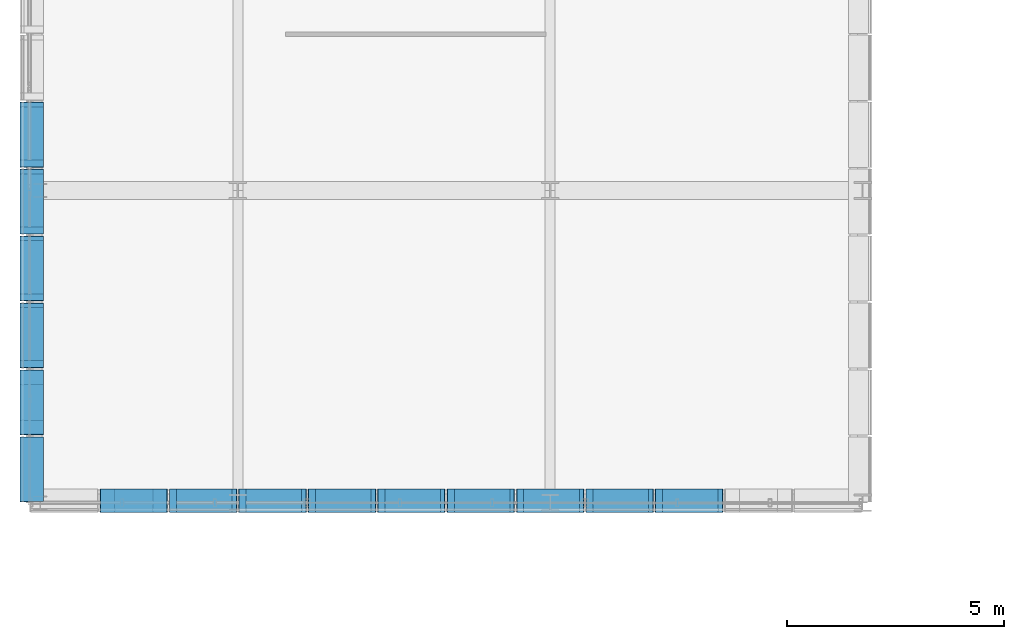
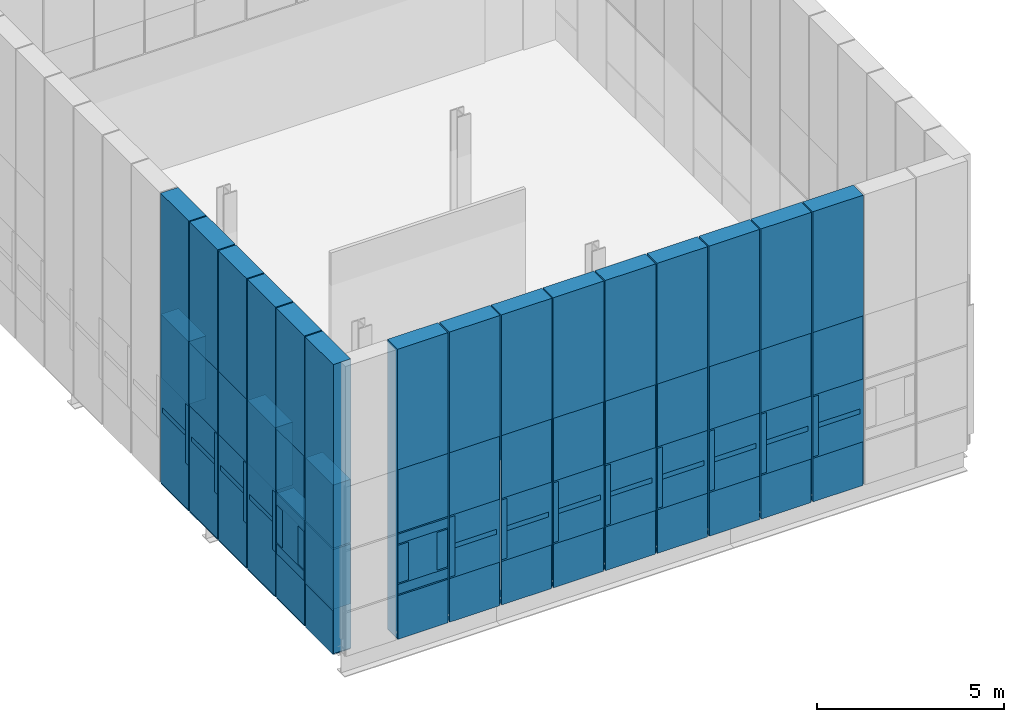
# One storey, part 107 of 144: 78 discrete accessories.
"""IFC4 building model written with IfcOpenShell, lengths in metres."""

from ifc_helpers import new_model, si_unit, direction, frame, origin, origin_2d, place, context, subcontext, project, spatial, rectangle, extrude, material, type_object, element, save


model = new_model("IFC4")

# Units and contexts
model_context = context("Model", 3, precision=1e-05, world=origin(), true_north=direction((0.0, 1.0)))
body_context = subcontext(model_context, "Body", "Model", "MODEL_VIEW")
ifc_project = project(units=[si_unit("LENGTHUNIT", "METRE"), si_unit("AREAUNIT", "SQUARE_METRE"), si_unit("VOLUMEUNIT", "CUBIC_METRE"), si_unit("PLANEANGLEUNIT", "RADIAN"), si_unit("MASSUNIT", "GRAM", prefix="KILO")], contexts=[model_context])

# Site, building, storey
site_placement = place(None, origin())
site = spatial("IfcSite", under=ifc_project, at=site_placement, CompositionType="ELEMENT")
building_placement = place(site_placement, origin())
building = spatial("IfcBuilding", under=site, at=building_placement, Name="Yarey Park Central Fire Station", CompositionType="ELEMENT")
storey_placement = place(building_placement, frame((0.0, 0.0, 10.199951171875)))
storey = spatial("IfcBuildingStorey", under=building, at=storey_placement, Name="L03", CompositionType="ELEMENT", Elevation=10.199951171875)

# Discrete accessories
ifc_material = material(Name="Stainless Steel AISI 316L", Category="steel")
discrete_accessory_type = type_object("IfcDiscreteAccessoryType", Name="ENV_BRK_SS1", PredefinedType="BRACKET", material=ifc_material)
discrete_accessory_1_placement = place(storey_placement, frame((9.64990234375, 22.371337890625, -0.494873046875), z_axis=(0.0, 0.0, 1.0), x_axis=(1.0, 0.0, 0.0)))
element("IfcDiscreteAccessory", 1, at=discrete_accessory_1_placement, inside=storey, type_object=discrete_accessory_type, Name="BRK_PERF_L03_0001", PredefinedType="BRACKET", context=body_context, shape_type="SweptSolid", body=[
    extrude(rectangle(XDim=0.5400390625, YDim=1.48291015625, at=origin_2d()), origin(), (0.0, 0.0, 1.0), 1.419921875),
])
discrete_accessory_2_placement = place(storey_placement, frame((9.64990234375, 22.371337890625, 0.97509765625), z_axis=(0.0, 0.0, 1.0), x_axis=(1.0, 0.0, 0.0)))
element("IfcDiscreteAccessory", 2, at=discrete_accessory_2_placement, inside=storey, type_object=discrete_accessory_type, Name="BRK_PERF_L03_0002", PredefinedType="BRACKET", context=body_context, shape_type="SweptSolid", body=[
    extrude(rectangle(XDim=0.5400390625, YDim=1.48291015625, at=origin_2d()), origin(), (0.0, 0.0, 1.0), 1.949951171875),
])
discrete_accessory_3_placement = place(storey_placement, frame((9.64990234375, 22.371337890625, 2.97509765625), z_axis=(0.0, 0.0, 1.0), x_axis=(1.0, 0.0, 0.0)))
element("IfcDiscreteAccessory", 3, at=discrete_accessory_3_placement, inside=storey, type_object=discrete_accessory_type, Name="BRK_PERF_L03_0003", PredefinedType="BRACKET", context=body_context, shape_type="SweptSolid", body=[
    extrude(rectangle(XDim=0.5400390625, YDim=1.48291015625, at=origin_2d()), origin(), (0.0, 0.0, 1.0), 2.050048828125),
])
discrete_accessory_4_placement = place(storey_placement, frame((9.64990234375, 22.371337890625, -0.4599609375), z_axis=(0.0, 0.0, 1.0), x_axis=(1.0, 0.0, 0.0)))
element("IfcDiscreteAccessory", 4, at=discrete_accessory_4_placement, inside=storey, type_object=discrete_accessory_type, Name="BRK_RAIL_L03_0005", PredefinedType="BRACKET", context=body_context, shape_type="SweptSolid", body=[
    extrude(rectangle(XDim=0.5400390625, YDim=1.5029296875, at=origin_2d()), origin(), (0.0, 0.0, 1.0), 9.419921875),
])
discrete_accessory_5_placement = place(storey_placement, frame((9.64990234375, 23.914306640625, -0.494873046875), z_axis=(0.0, 0.0, 1.0), x_axis=(1.0, 0.0, 0.0)))
element("IfcDiscreteAccessory", 5, at=discrete_accessory_5_placement, inside=storey, type_object=discrete_accessory_type, Name="BRK_PERF_L03_0006", PredefinedType="BRACKET", context=body_context, shape_type="SweptSolid", body=[
    extrude(rectangle(XDim=0.5400390625, YDim=1.48291015625, at=origin_2d()), origin(), (0.0, 0.0, 1.0), 1.419921875),
])
for number, where, z_axis, x_axis, name in (
    (6, (9.64990234375, 23.914306640625, 0.97021484375), (0.0, 0.0, 1.0), (1.0, 0.0, 0.0), "BRK_PERF_L03_0007"),
    (7, (9.64990234375, 23.914306640625, 2.60986328125), (0.0, 0.0, 1.0), (1.0, 0.0, 0.0), "BRK_PERF_L03_0008"),
):
    element("IfcDiscreteAccessory", number, at=place(storey_placement, frame(where, z_axis=z_axis, x_axis=x_axis)), inside=storey, type_object=discrete_accessory_type, Name=name, PredefinedType="BRACKET", context=body_context, shape_type="SweptSolid", body=[
        extrude(rectangle(XDim=0.5400390625, YDim=1.48291015625, at=origin_2d()), origin(), (0.0, 0.0, 1.0), 0.320068359375),
    ])
for number, where, z_axis, x_axis, name in (
    (8, (9.64990234375, 23.343017578125, 1.3349609375), (0.0, 0.0, 1.0), (1.0, 0.0, 0.0), "BRK_PERF_L03_0009"),
    (9, (9.64990234375, 24.485595703125, 1.3349609375), (0.0, 0.0, 1.0), (1.0, 0.0, 0.0), "BRK_PERF_L03_0010"),
):
    element("IfcDiscreteAccessory", number, at=place(storey_placement, frame(where, z_axis=z_axis, x_axis=x_axis)), inside=storey, type_object=discrete_accessory_type, Name=name, PredefinedType="BRACKET", context=body_context, shape_type="SweptSolid", body=[
        extrude(rectangle(XDim=0.5400390625, YDim=0.320068359375, at=origin_2d()), origin(), (0.0, 0.0, 1.0), 1.22998046875),
    ])
discrete_accessory_6_placement = place(storey_placement, frame((9.64990234375, 23.914306640625, 2.97509765625), z_axis=(0.0, 0.0, 1.0), x_axis=(1.0, 0.0, 0.0)))
element("IfcDiscreteAccessory", 10, at=discrete_accessory_6_placement, inside=storey, type_object=discrete_accessory_type, Name="BRK_PERF_L03_0011", PredefinedType="BRACKET", context=body_context, shape_type="SweptSolid", body=[
    extrude(rectangle(XDim=0.5400390625, YDim=1.48291015625, at=origin_2d()), origin(), (0.0, 0.0, 1.0), 2.050048828125),
])
discrete_accessory_7_placement = place(storey_placement, frame((9.64990234375, 23.914306640625, -0.4599609375), z_axis=(0.0, 0.0, 1.0), x_axis=(1.0, 0.0, 0.0)))
element("IfcDiscreteAccessory", 11, at=discrete_accessory_7_placement, inside=storey, type_object=discrete_accessory_type, Name="BRK_RAIL_L03_0016", PredefinedType="BRACKET", context=body_context, shape_type="SweptSolid", body=[
    extrude(rectangle(XDim=0.5400390625, YDim=1.5029296875, at=origin_2d()), origin(), (0.0, 0.0, 1.0), 9.419921875),
])
discrete_accessory_8_placement = place(storey_placement, frame((9.64990234375, 25.45703125, -0.494873046875), z_axis=(0.0, 0.0, 1.0), x_axis=(1.0, 0.0, 0.0)))
element("IfcDiscreteAccessory", 12, at=discrete_accessory_8_placement, inside=storey, type_object=discrete_accessory_type, Name="BRK_PERF_L03_0017", PredefinedType="BRACKET", context=body_context, shape_type="SweptSolid", body=[
    extrude(rectangle(XDim=0.5400390625, YDim=1.48291015625, at=origin_2d()), origin(), (0.0, 0.0, 1.0), 1.419921875),
])
discrete_accessory_9_placement = place(storey_placement, frame((9.64990234375, 24.795654296875, 0.97509765625), z_axis=(0.0, 0.0, 1.0), x_axis=(1.0, 0.0, 0.0)))
element("IfcDiscreteAccessory", 13, at=discrete_accessory_9_placement, inside=storey, type_object=discrete_accessory_type, Name="BRK_PERF_L03_0018", PredefinedType="BRACKET", context=body_context, shape_type="SweptSolid", body=[
    extrude(rectangle(XDim=0.5400390625, YDim=0.159912109375, at=origin_2d()), origin(), (0.0, 0.0, 1.0), 1.949951171875),
])
discrete_accessory_10_placement = place(storey_placement, frame((9.64990234375, 25.45703125, 1.8701171875), z_axis=(0.0, 0.0, 1.0), x_axis=(1.0, 0.0, 0.0)))
element("IfcDiscreteAccessory", 14, at=discrete_accessory_10_placement, inside=storey, type_object=discrete_accessory_type, Name="BRK_PERF_L03_0019", PredefinedType="BRACKET", context=body_context, shape_type="SweptSolid", body=[
    extrude(rectangle(XDim=0.5400390625, YDim=1.282958984375, at=origin_2d()), origin(), (0.0, 0.0, 1.0), 0.159912109375),
])
discrete_accessory_11_placement = place(storey_placement, frame((9.64990234375, 25.45703125, 2.97509765625), z_axis=(0.0, 0.0, 1.0), x_axis=(1.0, 0.0, 0.0)))
element("IfcDiscreteAccessory", 15, at=discrete_accessory_11_placement, inside=storey, type_object=discrete_accessory_type, Name="BRK_PERF_L03_0020", PredefinedType="BRACKET", context=body_context, shape_type="SweptSolid", body=[
    extrude(rectangle(XDim=0.5400390625, YDim=1.48291015625, at=origin_2d()), origin(), (0.0, 0.0, 1.0), 2.050048828125),
])
discrete_accessory_12_placement = place(storey_placement, frame((9.64990234375, 25.45703125, -0.4599609375), z_axis=(0.0, 0.0, 1.0), x_axis=(1.0, 0.0, 0.0)))
element("IfcDiscreteAccessory", 16, at=discrete_accessory_12_placement, inside=storey, type_object=discrete_accessory_type, Name="BRK_RAIL_L03_0023", PredefinedType="BRACKET", context=body_context, shape_type="SweptSolid", body=[
    extrude(rectangle(XDim=0.5400390625, YDim=1.5029296875, at=origin_2d()), origin(), (0.0, 0.0, 1.0), 9.419921875),
])
discrete_accessory_13_placement = place(storey_placement, frame((9.64990234375, 27.0, -0.494873046875), z_axis=(0.0, 0.0, 1.0), x_axis=(1.0, 0.0, 0.0)))
element("IfcDiscreteAccessory", 17, at=discrete_accessory_13_placement, inside=storey, type_object=discrete_accessory_type, Name="BRK_PERF_L03_0024", PredefinedType="BRACKET", context=body_context, shape_type="SweptSolid", body=[
    extrude(rectangle(XDim=0.5400390625, YDim=1.48291015625, at=origin_2d()), origin(), (0.0, 0.0, 1.0), 1.419921875),
])
discrete_accessory_14_placement = place(storey_placement, frame((9.64990234375, 26.338623046875, 0.97509765625), z_axis=(0.0, 0.0, 1.0), x_axis=(1.0, 0.0, 0.0)))
element("IfcDiscreteAccessory", 18, at=discrete_accessory_14_placement, inside=storey, type_object=discrete_accessory_type, Name="BRK_PERF_L03_0025", PredefinedType="BRACKET", context=body_context, shape_type="SweptSolid", body=[
    extrude(rectangle(XDim=0.5400390625, YDim=0.159912109375, at=origin_2d()), origin(), (0.0, 0.0, 1.0), 1.949951171875),
])
discrete_accessory_15_placement = place(storey_placement, frame((9.64990234375, 27.0, 1.8701171875), z_axis=(0.0, 0.0, 1.0), x_axis=(1.0, 0.0, 0.0)))
element("IfcDiscreteAccessory", 19, at=discrete_accessory_15_placement, inside=storey, type_object=discrete_accessory_type, Name="BRK_PERF_L03_0026", PredefinedType="BRACKET", context=body_context, shape_type="SweptSolid", body=[
    extrude(rectangle(XDim=0.5400390625, YDim=1.282958984375, at=origin_2d()), origin(), (0.0, 0.0, 1.0), 0.159912109375),
])
discrete_accessory_16_placement = place(storey_placement, frame((9.64990234375, 27.0, 2.97509765625), z_axis=(0.0, 0.0, 1.0), x_axis=(1.0, 0.0, 0.0)))
element("IfcDiscreteAccessory", 20, at=discrete_accessory_16_placement, inside=storey, type_object=discrete_accessory_type, Name="BRK_PERF_L03_0027", PredefinedType="BRACKET", context=body_context, shape_type="SweptSolid", body=[
    extrude(rectangle(XDim=0.5400390625, YDim=1.48291015625, at=origin_2d()), origin(), (0.0, 0.0, 1.0), 2.050048828125),
])
discrete_accessory_17_placement = place(storey_placement, frame((9.64990234375, 27.0, -0.4599609375), z_axis=(0.0, 0.0, 1.0), x_axis=(1.0, 0.0, 0.0)))
element("IfcDiscreteAccessory", 21, at=discrete_accessory_17_placement, inside=storey, type_object=discrete_accessory_type, Name="BRK_RAIL_L03_0030", PredefinedType="BRACKET", context=body_context, shape_type="SweptSolid", body=[
    extrude(rectangle(XDim=0.5400390625, YDim=1.5029296875, at=origin_2d()), origin(), (0.0, 0.0, 1.0), 9.419921875),
])
discrete_accessory_18_placement = place(storey_placement, frame((9.64990234375, 28.54296875, -0.494873046875), z_axis=(0.0, 0.0, 1.0), x_axis=(1.0, 0.0, 0.0)))
element("IfcDiscreteAccessory", 22, at=discrete_accessory_18_placement, inside=storey, type_object=discrete_accessory_type, Name="BRK_PERF_L03_0031", PredefinedType="BRACKET", context=body_context, shape_type="SweptSolid", body=[
    extrude(rectangle(XDim=0.5400390625, YDim=1.48291015625, at=origin_2d()), origin(), (0.0, 0.0, 1.0), 1.419921875),
])
discrete_accessory_19_placement = place(storey_placement, frame((9.64990234375, 27.881591796875, 0.97509765625), z_axis=(0.0, 0.0, 1.0), x_axis=(1.0, 0.0, 0.0)))
element("IfcDiscreteAccessory", 23, at=discrete_accessory_19_placement, inside=storey, type_object=discrete_accessory_type, Name="BRK_PERF_L03_0032", PredefinedType="BRACKET", context=body_context, shape_type="SweptSolid", body=[
    extrude(rectangle(XDim=0.5400390625, YDim=0.159912109375, at=origin_2d()), origin(), (0.0, 0.0, 1.0), 1.949951171875),
])
discrete_accessory_20_placement = place(storey_placement, frame((9.64990234375, 28.54296875, 1.8701171875), z_axis=(0.0, 0.0, 1.0), x_axis=(1.0, 0.0, 0.0)))
element("IfcDiscreteAccessory", 24, at=discrete_accessory_20_placement, inside=storey, type_object=discrete_accessory_type, Name="BRK_PERF_L03_0033", PredefinedType="BRACKET", context=body_context, shape_type="SweptSolid", body=[
    extrude(rectangle(XDim=0.5400390625, YDim=1.282958984375, at=origin_2d()), origin(), (0.0, 0.0, 1.0), 0.159912109375),
])
discrete_accessory_21_placement = place(storey_placement, frame((9.64990234375, 28.54296875, 2.97509765625), z_axis=(0.0, 0.0, 1.0), x_axis=(1.0, 0.0, 0.0)))
element("IfcDiscreteAccessory", 25, at=discrete_accessory_21_placement, inside=storey, type_object=discrete_accessory_type, Name="BRK_PERF_L03_0034", PredefinedType="BRACKET", context=body_context, shape_type="SweptSolid", body=[
    extrude(rectangle(XDim=0.5400390625, YDim=1.48291015625, at=origin_2d()), origin(), (0.0, 0.0, 1.0), 2.050048828125),
])
discrete_accessory_22_placement = place(storey_placement, frame((9.64990234375, 28.54296875, -0.4599609375), z_axis=(0.0, 0.0, 1.0), x_axis=(1.0, 0.0, 0.0)))
element("IfcDiscreteAccessory", 26, at=discrete_accessory_22_placement, inside=storey, type_object=discrete_accessory_type, Name="BRK_RAIL_L03_0037", PredefinedType="BRACKET", context=body_context, shape_type="SweptSolid", body=[
    extrude(rectangle(XDim=0.5400390625, YDim=1.5029296875, at=origin_2d()), origin(), (0.0, 0.0, 1.0), 9.419921875),
])
discrete_accessory_23_placement = place(storey_placement, frame((9.64990234375, 30.085693359375, -0.494873046875), z_axis=(0.0, 0.0, 1.0), x_axis=(1.0, 0.0, 0.0)))
element("IfcDiscreteAccessory", 27, at=discrete_accessory_23_placement, inside=storey, type_object=discrete_accessory_type, Name="BRK_PERF_L03_0038", PredefinedType="BRACKET", context=body_context, shape_type="SweptSolid", body=[
    extrude(rectangle(XDim=0.5400390625, YDim=1.48291015625, at=origin_2d()), origin(), (0.0, 0.0, 1.0), 1.419921875),
])
discrete_accessory_24_placement = place(storey_placement, frame((9.64990234375, 29.42431640625, 0.97509765625), z_axis=(0.0, 0.0, 1.0), x_axis=(1.0, 0.0, 0.0)))
element("IfcDiscreteAccessory", 28, at=discrete_accessory_24_placement, inside=storey, type_object=discrete_accessory_type, Name="BRK_PERF_L03_0039", PredefinedType="BRACKET", context=body_context, shape_type="SweptSolid", body=[
    extrude(rectangle(XDim=0.5400390625, YDim=0.159912109375, at=origin_2d()), origin(), (0.0, 0.0, 1.0), 1.949951171875),
])
discrete_accessory_25_placement = place(storey_placement, frame((9.64990234375, 30.085693359375, 1.8701171875), z_axis=(0.0, 0.0, 1.0), x_axis=(1.0, 0.0, 0.0)))
element("IfcDiscreteAccessory", 29, at=discrete_accessory_25_placement, inside=storey, type_object=discrete_accessory_type, Name="BRK_PERF_L03_0040", PredefinedType="BRACKET", context=body_context, shape_type="SweptSolid", body=[
    extrude(rectangle(XDim=0.5400390625, YDim=1.282958984375, at=origin_2d()), origin(), (0.0, 0.0, 1.0), 0.159912109375),
])
discrete_accessory_26_placement = place(storey_placement, frame((9.64990234375, 30.085693359375, 2.97509765625), z_axis=(0.0, 0.0, 1.0), x_axis=(1.0, 0.0, 0.0)))
element("IfcDiscreteAccessory", 30, at=discrete_accessory_26_placement, inside=storey, type_object=discrete_accessory_type, Name="BRK_PERF_L03_0041", PredefinedType="BRACKET", context=body_context, shape_type="SweptSolid", body=[
    extrude(rectangle(XDim=0.5400390625, YDim=1.48291015625, at=origin_2d()), origin(), (0.0, 0.0, 1.0), 2.050048828125),
])
discrete_accessory_27_placement = place(storey_placement, frame((9.64990234375, 30.085693359375, -0.4599609375), z_axis=(0.0, 0.0, 1.0), x_axis=(1.0, 0.0, 0.0)))
element("IfcDiscreteAccessory", 31, at=discrete_accessory_27_placement, inside=storey, type_object=discrete_accessory_type, Name="BRK_RAIL_L03_0044", PredefinedType="BRACKET", context=body_context, shape_type="SweptSolid", body=[
    extrude(rectangle(XDim=0.5400390625, YDim=1.5029296875, at=origin_2d()), origin(), (0.0, 0.0, 1.0), 9.419921875),
])
discrete_accessory_28_placement = place(storey_placement, frame((12.0, 21.64990234375, -0.494873046875), z_axis=(0.0, 0.0, 1.0), x_axis=(1.0, 0.0, 0.0)))
element("IfcDiscreteAccessory", 32, at=discrete_accessory_28_placement, inside=storey, type_object=discrete_accessory_type, Name="BRK_PERF_L03_0108", PredefinedType="BRACKET", context=body_context, shape_type="SweptSolid", body=[
    extrude(rectangle(XDim=1.5400390625, YDim=0.5400390625, at=origin_2d()), origin(), (0.0, 0.0, 1.0), 1.419921875),
])
for number, where, z_axis, x_axis, name in (
    (33, (12.0, 21.64990234375, 0.97021484375), (0.0, 0.0, 1.0), (1.0, 0.0, 0.0), "BRK_PERF_L03_0109"),
    (34, (12.0, 21.64990234375, 2.60986328125), (0.0, 0.0, 1.0), (1.0, 0.0, 0.0), "BRK_PERF_L03_0110"),
):
    element("IfcDiscreteAccessory", number, at=place(storey_placement, frame(where, z_axis=z_axis, x_axis=x_axis)), inside=storey, type_object=discrete_accessory_type, Name=name, PredefinedType="BRACKET", context=body_context, shape_type="SweptSolid", body=[
        extrude(rectangle(XDim=1.5400390625, YDim=0.5400390625, at=origin_2d()), origin(), (0.0, 0.0, 1.0), 0.320068359375),
    ])
for number, where, z_axis, x_axis, name in (
    (35, (11.39990234375, 21.64990234375, 1.3349609375), (0.0, 0.0, 1.0), (1.0, 0.0, 0.0), "BRK_PERF_L03_0111"),
    (36, (12.60009765625, 21.64990234375, 1.3349609375), (0.0, 0.0, 1.0), (1.0, 0.0, 0.0), "BRK_PERF_L03_0112"),
):
    element("IfcDiscreteAccessory", number, at=place(storey_placement, frame(where, z_axis=z_axis, x_axis=x_axis)), inside=storey, type_object=discrete_accessory_type, Name=name, PredefinedType="BRACKET", context=body_context, shape_type="SweptSolid", body=[
        extrude(rectangle(XDim=0.320068359375, YDim=0.5400390625, at=origin_2d()), origin(), (0.0, 0.0, 1.0), 1.22998046875),
    ])
discrete_accessory_29_placement = place(storey_placement, frame((12.0, 21.64990234375, 2.97509765625), z_axis=(0.0, 0.0, 1.0), x_axis=(1.0, 0.0, 0.0)))
element("IfcDiscreteAccessory", 37, at=discrete_accessory_29_placement, inside=storey, type_object=discrete_accessory_type, Name="BRK_PERF_L03_0113", PredefinedType="BRACKET", context=body_context, shape_type="SweptSolid", body=[
    extrude(rectangle(XDim=1.5400390625, YDim=0.5400390625, at=origin_2d()), origin(), (0.0, 0.0, 1.0), 2.050048828125),
])
discrete_accessory_30_placement = place(storey_placement, frame((12.0, 21.64990234375, -0.4599609375), z_axis=(0.0, 0.0, 1.0), x_axis=(1.0, 0.0, 0.0)))
element("IfcDiscreteAccessory", 38, at=discrete_accessory_30_placement, inside=storey, type_object=discrete_accessory_type, Name="BRK_RAIL_L03_0118", PredefinedType="BRACKET", context=body_context, shape_type="SweptSolid", body=[
    extrude(rectangle(XDim=1.56005859375, YDim=0.5400390625, at=origin_2d()), origin(), (0.0, 0.0, 1.0), 9.419921875),
])
discrete_accessory_31_placement = place(storey_placement, frame((13.60009765625, 21.64990234375, -0.494873046875), z_axis=(0.0, 0.0, 1.0), x_axis=(1.0, 0.0, 0.0)))
element("IfcDiscreteAccessory", 39, at=discrete_accessory_31_placement, inside=storey, type_object=discrete_accessory_type, Name="BRK_PERF_L03_0119", PredefinedType="BRACKET", context=body_context, shape_type="SweptSolid", body=[
    extrude(rectangle(XDim=1.5400390625, YDim=0.5400390625, at=origin_2d()), origin(), (0.0, 0.0, 1.0), 1.419921875),
])
discrete_accessory_32_placement = place(storey_placement, frame((12.909912109375, 21.64990234375, 0.97509765625), z_axis=(0.0, 0.0, 1.0), x_axis=(1.0, 0.0, 0.0)))
element("IfcDiscreteAccessory", 40, at=discrete_accessory_32_placement, inside=storey, type_object=discrete_accessory_type, Name="BRK_PERF_L03_0120", PredefinedType="BRACKET", context=body_context, shape_type="SweptSolid", body=[
    extrude(rectangle(XDim=0.159912109375, YDim=0.5400390625, at=origin_2d()), origin(), (0.0, 0.0, 1.0), 1.949951171875),
])
discrete_accessory_33_placement = place(storey_placement, frame((13.60009765625, 21.64990234375, 1.8701171875), z_axis=(0.0, 0.0, 1.0), x_axis=(1.0, 0.0, 0.0)))
element("IfcDiscreteAccessory", 41, at=discrete_accessory_33_placement, inside=storey, type_object=discrete_accessory_type, Name="BRK_PERF_L03_0121", PredefinedType="BRACKET", context=body_context, shape_type="SweptSolid", body=[
    extrude(rectangle(XDim=1.340087890625, YDim=0.5400390625, at=origin_2d()), origin(), (0.0, 0.0, 1.0), 0.159912109375),
])
discrete_accessory_34_placement = place(storey_placement, frame((13.60009765625, 21.64990234375, 2.97509765625), z_axis=(0.0, 0.0, 1.0), x_axis=(1.0, 0.0, 0.0)))
element("IfcDiscreteAccessory", 42, at=discrete_accessory_34_placement, inside=storey, type_object=discrete_accessory_type, Name="BRK_PERF_L03_0122", PredefinedType="BRACKET", context=body_context, shape_type="SweptSolid", body=[
    extrude(rectangle(XDim=1.5400390625, YDim=0.5400390625, at=origin_2d()), origin(), (0.0, 0.0, 1.0), 2.050048828125),
])
discrete_accessory_35_placement = place(storey_placement, frame((13.60009765625, 21.64990234375, -0.4599609375), z_axis=(0.0, 0.0, 1.0), x_axis=(1.0, 0.0, 0.0)))
element("IfcDiscreteAccessory", 43, at=discrete_accessory_35_placement, inside=storey, type_object=discrete_accessory_type, Name="BRK_RAIL_L03_0125", PredefinedType="BRACKET", context=body_context, shape_type="SweptSolid", body=[
    extrude(rectangle(XDim=1.56005859375, YDim=0.5400390625, at=origin_2d()), origin(), (0.0, 0.0, 1.0), 9.419921875),
])
discrete_accessory_36_placement = place(storey_placement, frame((15.199951171875, 21.64990234375, -0.494873046875), z_axis=(0.0, 0.0, 1.0), x_axis=(1.0, 0.0, 0.0)))
element("IfcDiscreteAccessory", 44, at=discrete_accessory_36_placement, inside=storey, type_object=discrete_accessory_type, Name="BRK_PERF_L03_0126", PredefinedType="BRACKET", context=body_context, shape_type="SweptSolid", body=[
    extrude(rectangle(XDim=1.5400390625, YDim=0.5400390625, at=origin_2d()), origin(), (0.0, 0.0, 1.0), 1.419921875),
])
discrete_accessory_37_placement = place(storey_placement, frame((14.510009765625, 21.64990234375, 0.97509765625), z_axis=(0.0, 0.0, 1.0), x_axis=(1.0, 0.0, 0.0)))
element("IfcDiscreteAccessory", 45, at=discrete_accessory_37_placement, inside=storey, type_object=discrete_accessory_type, Name="BRK_PERF_L03_0127", PredefinedType="BRACKET", context=body_context, shape_type="SweptSolid", body=[
    extrude(rectangle(XDim=0.159912109375, YDim=0.5400390625, at=origin_2d()), origin(), (0.0, 0.0, 1.0), 1.949951171875),
])
discrete_accessory_38_placement = place(storey_placement, frame((15.199951171875, 21.64990234375, 1.8701171875), z_axis=(0.0, 0.0, 1.0), x_axis=(1.0, 0.0, 0.0)))
element("IfcDiscreteAccessory", 46, at=discrete_accessory_38_placement, inside=storey, type_object=discrete_accessory_type, Name="BRK_PERF_L03_0128", PredefinedType="BRACKET", context=body_context, shape_type="SweptSolid", body=[
    extrude(rectangle(XDim=1.340087890625, YDim=0.5400390625, at=origin_2d()), origin(), (0.0, 0.0, 1.0), 0.159912109375),
])
discrete_accessory_39_placement = place(storey_placement, frame((15.199951171875, 21.64990234375, 2.97509765625), z_axis=(0.0, 0.0, 1.0), x_axis=(1.0, 0.0, 0.0)))
element("IfcDiscreteAccessory", 47, at=discrete_accessory_39_placement, inside=storey, type_object=discrete_accessory_type, Name="BRK_PERF_L03_0129", PredefinedType="BRACKET", context=body_context, shape_type="SweptSolid", body=[
    extrude(rectangle(XDim=1.5400390625, YDim=0.5400390625, at=origin_2d()), origin(), (0.0, 0.0, 1.0), 2.050048828125),
])
discrete_accessory_40_placement = place(storey_placement, frame((15.199951171875, 21.64990234375, -0.4599609375), z_axis=(0.0, 0.0, 1.0), x_axis=(1.0, 0.0, 0.0)))
element("IfcDiscreteAccessory", 48, at=discrete_accessory_40_placement, inside=storey, type_object=discrete_accessory_type, Name="BRK_RAIL_L03_0132", PredefinedType="BRACKET", context=body_context, shape_type="SweptSolid", body=[
    extrude(rectangle(XDim=1.56005859375, YDim=0.5400390625, at=origin_2d()), origin(), (0.0, 0.0, 1.0), 9.419921875),
])
discrete_accessory_41_placement = place(storey_placement, frame((16.800048828125, 21.64990234375, -0.494873046875), z_axis=(0.0, 0.0, 1.0), x_axis=(1.0, 0.0, 0.0)))
element("IfcDiscreteAccessory", 49, at=discrete_accessory_41_placement, inside=storey, type_object=discrete_accessory_type, Name="BRK_PERF_L03_0133", PredefinedType="BRACKET", context=body_context, shape_type="SweptSolid", body=[
    extrude(rectangle(XDim=1.5400390625, YDim=0.5400390625, at=origin_2d()), origin(), (0.0, 0.0, 1.0), 1.419921875),
])
discrete_accessory_42_placement = place(storey_placement, frame((16.110107421875, 21.64990234375, 0.97509765625), z_axis=(0.0, 0.0, 1.0), x_axis=(1.0, 0.0, 0.0)))
element("IfcDiscreteAccessory", 50, at=discrete_accessory_42_placement, inside=storey, type_object=discrete_accessory_type, Name="BRK_PERF_L03_0134", PredefinedType="BRACKET", context=body_context, shape_type="SweptSolid", body=[
    extrude(rectangle(XDim=0.159912109375, YDim=0.5400390625, at=origin_2d()), origin(), (0.0, 0.0, 1.0), 1.949951171875),
])
discrete_accessory_43_placement = place(storey_placement, frame((16.800048828125, 21.64990234375, 1.8701171875), z_axis=(0.0, 0.0, 1.0), x_axis=(1.0, 0.0, 0.0)))
element("IfcDiscreteAccessory", 51, at=discrete_accessory_43_placement, inside=storey, type_object=discrete_accessory_type, Name="BRK_PERF_L03_0135", PredefinedType="BRACKET", context=body_context, shape_type="SweptSolid", body=[
    extrude(rectangle(XDim=1.340087890625, YDim=0.5400390625, at=origin_2d()), origin(), (0.0, 0.0, 1.0), 0.159912109375),
])
discrete_accessory_44_placement = place(storey_placement, frame((16.800048828125, 21.64990234375, 2.97509765625), z_axis=(0.0, 0.0, 1.0), x_axis=(1.0, 0.0, 0.0)))
element("IfcDiscreteAccessory", 52, at=discrete_accessory_44_placement, inside=storey, type_object=discrete_accessory_type, Name="BRK_PERF_L03_0136", PredefinedType="BRACKET", context=body_context, shape_type="SweptSolid", body=[
    extrude(rectangle(XDim=1.5400390625, YDim=0.5400390625, at=origin_2d()), origin(), (0.0, 0.0, 1.0), 2.050048828125),
])
discrete_accessory_45_placement = place(storey_placement, frame((16.800048828125, 21.64990234375, -0.4599609375), z_axis=(0.0, 0.0, 1.0), x_axis=(1.0, 0.0, 0.0)))
element("IfcDiscreteAccessory", 53, at=discrete_accessory_45_placement, inside=storey, type_object=discrete_accessory_type, Name="BRK_RAIL_L03_0139", PredefinedType="BRACKET", context=body_context, shape_type="SweptSolid", body=[
    extrude(rectangle(XDim=1.56005859375, YDim=0.5400390625, at=origin_2d()), origin(), (0.0, 0.0, 1.0), 9.419921875),
])
discrete_accessory_46_placement = place(storey_placement, frame((18.39990234375, 21.64990234375, -0.494873046875), z_axis=(0.0, 0.0, 1.0), x_axis=(1.0, 0.0, 0.0)))
element("IfcDiscreteAccessory", 54, at=discrete_accessory_46_placement, inside=storey, type_object=discrete_accessory_type, Name="BRK_PERF_L03_0140", PredefinedType="BRACKET", context=body_context, shape_type="SweptSolid", body=[
    extrude(rectangle(XDim=1.5400390625, YDim=0.5400390625, at=origin_2d()), origin(), (0.0, 0.0, 1.0), 1.419921875),
])
discrete_accessory_47_placement = place(storey_placement, frame((17.7099609375, 21.64990234375, 0.97509765625), z_axis=(0.0, 0.0, 1.0), x_axis=(1.0, 0.0, 0.0)))
element("IfcDiscreteAccessory", 55, at=discrete_accessory_47_placement, inside=storey, type_object=discrete_accessory_type, Name="BRK_PERF_L03_0141", PredefinedType="BRACKET", context=body_context, shape_type="SweptSolid", body=[
    extrude(rectangle(XDim=0.159912109375, YDim=0.5400390625, at=origin_2d()), origin(), (0.0, 0.0, 1.0), 1.949951171875),
])
discrete_accessory_48_placement = place(storey_placement, frame((18.39990234375, 21.64990234375, 1.8701171875), z_axis=(0.0, 0.0, 1.0), x_axis=(1.0, 0.0, 0.0)))
element("IfcDiscreteAccessory", 56, at=discrete_accessory_48_placement, inside=storey, type_object=discrete_accessory_type, Name="BRK_PERF_L03_0142", PredefinedType="BRACKET", context=body_context, shape_type="SweptSolid", body=[
    extrude(rectangle(XDim=1.340087890625, YDim=0.5400390625, at=origin_2d()), origin(), (0.0, 0.0, 1.0), 0.159912109375),
])
discrete_accessory_49_placement = place(storey_placement, frame((18.39990234375, 21.64990234375, 2.97509765625), z_axis=(0.0, 0.0, 1.0), x_axis=(1.0, 0.0, 0.0)))
element("IfcDiscreteAccessory", 57, at=discrete_accessory_49_placement, inside=storey, type_object=discrete_accessory_type, Name="BRK_PERF_L03_0143", PredefinedType="BRACKET", context=body_context, shape_type="SweptSolid", body=[
    extrude(rectangle(XDim=1.5400390625, YDim=0.5400390625, at=origin_2d()), origin(), (0.0, 0.0, 1.0), 2.050048828125),
])
discrete_accessory_50_placement = place(storey_placement, frame((18.39990234375, 21.64990234375, -0.4599609375), z_axis=(0.0, 0.0, 1.0), x_axis=(1.0, 0.0, 0.0)))
element("IfcDiscreteAccessory", 58, at=discrete_accessory_50_placement, inside=storey, type_object=discrete_accessory_type, Name="BRK_RAIL_L03_0146", PredefinedType="BRACKET", context=body_context, shape_type="SweptSolid", body=[
    extrude(rectangle(XDim=1.56005859375, YDim=0.5400390625, at=origin_2d()), origin(), (0.0, 0.0, 1.0), 9.419921875),
])
discrete_accessory_51_placement = place(storey_placement, frame((20.0, 21.64990234375, -0.494873046875), z_axis=(0.0, 0.0, 1.0), x_axis=(1.0, 0.0, 0.0)))
element("IfcDiscreteAccessory", 59, at=discrete_accessory_51_placement, inside=storey, type_object=discrete_accessory_type, Name="BRK_PERF_L03_0147", PredefinedType="BRACKET", context=body_context, shape_type="SweptSolid", body=[
    extrude(rectangle(XDim=1.5400390625, YDim=0.5400390625, at=origin_2d()), origin(), (0.0, 0.0, 1.0), 1.419921875),
])
discrete_accessory_52_placement = place(storey_placement, frame((19.31005859375, 21.64990234375, 0.97509765625), z_axis=(0.0, 0.0, 1.0), x_axis=(1.0, 0.0, 0.0)))
element("IfcDiscreteAccessory", 60, at=discrete_accessory_52_placement, inside=storey, type_object=discrete_accessory_type, Name="BRK_PERF_L03_0148", PredefinedType="BRACKET", context=body_context, shape_type="SweptSolid", body=[
    extrude(rectangle(XDim=0.159912109375, YDim=0.5400390625, at=origin_2d()), origin(), (0.0, 0.0, 1.0), 1.949951171875),
])
discrete_accessory_53_placement = place(storey_placement, frame((20.0, 21.64990234375, 1.8701171875), z_axis=(0.0, 0.0, 1.0), x_axis=(1.0, 0.0, 0.0)))
element("IfcDiscreteAccessory", 61, at=discrete_accessory_53_placement, inside=storey, type_object=discrete_accessory_type, Name="BRK_PERF_L03_0149", PredefinedType="BRACKET", context=body_context, shape_type="SweptSolid", body=[
    extrude(rectangle(XDim=1.340087890625, YDim=0.5400390625, at=origin_2d()), origin(), (0.0, 0.0, 1.0), 0.159912109375),
])
discrete_accessory_54_placement = place(storey_placement, frame((20.0, 21.64990234375, 2.97509765625), z_axis=(0.0, 0.0, 1.0), x_axis=(1.0, 0.0, 0.0)))
element("IfcDiscreteAccessory", 62, at=discrete_accessory_54_placement, inside=storey, type_object=discrete_accessory_type, Name="BRK_PERF_L03_0150", PredefinedType="BRACKET", context=body_context, shape_type="SweptSolid", body=[
    extrude(rectangle(XDim=1.5400390625, YDim=0.5400390625, at=origin_2d()), origin(), (0.0, 0.0, 1.0), 2.050048828125),
])
discrete_accessory_55_placement = place(storey_placement, frame((20.0, 21.64990234375, -0.4599609375), z_axis=(0.0, 0.0, 1.0), x_axis=(1.0, 0.0, 0.0)))
element("IfcDiscreteAccessory", 63, at=discrete_accessory_55_placement, inside=storey, type_object=discrete_accessory_type, Name="BRK_RAIL_L03_0153", PredefinedType="BRACKET", context=body_context, shape_type="SweptSolid", body=[
    extrude(rectangle(XDim=1.56005859375, YDim=0.5400390625, at=origin_2d()), origin(), (0.0, 0.0, 1.0), 9.419921875),
])
discrete_accessory_56_placement = place(storey_placement, frame((21.60009765625, 21.64990234375, -0.494873046875), z_axis=(0.0, 0.0, 1.0), x_axis=(1.0, 0.0, 0.0)))
element("IfcDiscreteAccessory", 64, at=discrete_accessory_56_placement, inside=storey, type_object=discrete_accessory_type, Name="BRK_PERF_L03_0154", PredefinedType="BRACKET", context=body_context, shape_type="SweptSolid", body=[
    extrude(rectangle(XDim=1.5400390625, YDim=0.5400390625, at=origin_2d()), origin(), (0.0, 0.0, 1.0), 1.419921875),
])
discrete_accessory_57_placement = place(storey_placement, frame((20.909912109375, 21.64990234375, 0.97509765625), z_axis=(0.0, 0.0, 1.0), x_axis=(1.0, 0.0, 0.0)))
element("IfcDiscreteAccessory", 65, at=discrete_accessory_57_placement, inside=storey, type_object=discrete_accessory_type, Name="BRK_PERF_L03_0155", PredefinedType="BRACKET", context=body_context, shape_type="SweptSolid", body=[
    extrude(rectangle(XDim=0.159912109375, YDim=0.5400390625, at=origin_2d()), origin(), (0.0, 0.0, 1.0), 1.949951171875),
])
discrete_accessory_58_placement = place(storey_placement, frame((21.60009765625, 21.64990234375, 1.8701171875), z_axis=(0.0, 0.0, 1.0), x_axis=(1.0, 0.0, 0.0)))
element("IfcDiscreteAccessory", 66, at=discrete_accessory_58_placement, inside=storey, type_object=discrete_accessory_type, Name="BRK_PERF_L03_0156", PredefinedType="BRACKET", context=body_context, shape_type="SweptSolid", body=[
    extrude(rectangle(XDim=1.340087890625, YDim=0.5400390625, at=origin_2d()), origin(), (0.0, 0.0, 1.0), 0.159912109375),
])
discrete_accessory_59_placement = place(storey_placement, frame((21.60009765625, 21.64990234375, 2.97509765625), z_axis=(0.0, 0.0, 1.0), x_axis=(1.0, 0.0, 0.0)))
element("IfcDiscreteAccessory", 67, at=discrete_accessory_59_placement, inside=storey, type_object=discrete_accessory_type, Name="BRK_PERF_L03_0157", PredefinedType="BRACKET", context=body_context, shape_type="SweptSolid", body=[
    extrude(rectangle(XDim=1.5400390625, YDim=0.5400390625, at=origin_2d()), origin(), (0.0, 0.0, 1.0), 2.050048828125),
])
discrete_accessory_60_placement = place(storey_placement, frame((21.60009765625, 21.64990234375, -0.4599609375), z_axis=(0.0, 0.0, 1.0), x_axis=(1.0, 0.0, 0.0)))
element("IfcDiscreteAccessory", 68, at=discrete_accessory_60_placement, inside=storey, type_object=discrete_accessory_type, Name="BRK_RAIL_L03_0160", PredefinedType="BRACKET", context=body_context, shape_type="SweptSolid", body=[
    extrude(rectangle(XDim=1.56005859375, YDim=0.5400390625, at=origin_2d()), origin(), (0.0, 0.0, 1.0), 9.419921875),
])
discrete_accessory_61_placement = place(storey_placement, frame((23.199951171875, 21.64990234375, -0.494873046875), z_axis=(0.0, 0.0, 1.0), x_axis=(1.0, 0.0, 0.0)))
element("IfcDiscreteAccessory", 69, at=discrete_accessory_61_placement, inside=storey, type_object=discrete_accessory_type, Name="BRK_PERF_L03_0161", PredefinedType="BRACKET", context=body_context, shape_type="SweptSolid", body=[
    extrude(rectangle(XDim=1.5400390625, YDim=0.5400390625, at=origin_2d()), origin(), (0.0, 0.0, 1.0), 1.419921875),
])
discrete_accessory_62_placement = place(storey_placement, frame((22.510009765625, 21.64990234375, 0.97509765625), z_axis=(0.0, 0.0, 1.0), x_axis=(1.0, 0.0, 0.0)))
element("IfcDiscreteAccessory", 70, at=discrete_accessory_62_placement, inside=storey, type_object=discrete_accessory_type, Name="BRK_PERF_L03_0162", PredefinedType="BRACKET", context=body_context, shape_type="SweptSolid", body=[
    extrude(rectangle(XDim=0.159912109375, YDim=0.5400390625, at=origin_2d()), origin(), (0.0, 0.0, 1.0), 1.949951171875),
])
discrete_accessory_63_placement = place(storey_placement, frame((23.199951171875, 21.64990234375, 1.8701171875), z_axis=(0.0, 0.0, 1.0), x_axis=(1.0, 0.0, 0.0)))
element("IfcDiscreteAccessory", 71, at=discrete_accessory_63_placement, inside=storey, type_object=discrete_accessory_type, Name="BRK_PERF_L03_0163", PredefinedType="BRACKET", context=body_context, shape_type="SweptSolid", body=[
    extrude(rectangle(XDim=1.340087890625, YDim=0.5400390625, at=origin_2d()), origin(), (0.0, 0.0, 1.0), 0.159912109375),
])
discrete_accessory_64_placement = place(storey_placement, frame((23.199951171875, 21.64990234375, 2.97509765625), z_axis=(0.0, 0.0, 1.0), x_axis=(1.0, 0.0, 0.0)))
element("IfcDiscreteAccessory", 72, at=discrete_accessory_64_placement, inside=storey, type_object=discrete_accessory_type, Name="BRK_PERF_L03_0164", PredefinedType="BRACKET", context=body_context, shape_type="SweptSolid", body=[
    extrude(rectangle(XDim=1.5400390625, YDim=0.5400390625, at=origin_2d()), origin(), (0.0, 0.0, 1.0), 2.050048828125),
])
discrete_accessory_65_placement = place(storey_placement, frame((23.199951171875, 21.64990234375, -0.4599609375), z_axis=(0.0, 0.0, 1.0), x_axis=(1.0, 0.0, 0.0)))
element("IfcDiscreteAccessory", 73, at=discrete_accessory_65_placement, inside=storey, type_object=discrete_accessory_type, Name="BRK_RAIL_L03_0167", PredefinedType="BRACKET", context=body_context, shape_type="SweptSolid", body=[
    extrude(rectangle(XDim=1.56005859375, YDim=0.5400390625, at=origin_2d()), origin(), (0.0, 0.0, 1.0), 9.419921875),
])
discrete_accessory_66_placement = place(storey_placement, frame((24.800048828125, 21.64990234375, -0.494873046875), z_axis=(0.0, 0.0, 1.0), x_axis=(1.0, 0.0, 0.0)))
element("IfcDiscreteAccessory", 74, at=discrete_accessory_66_placement, inside=storey, type_object=discrete_accessory_type, Name="BRK_PERF_L03_0168", PredefinedType="BRACKET", context=body_context, shape_type="SweptSolid", body=[
    extrude(rectangle(XDim=1.5400390625, YDim=0.5400390625, at=origin_2d()), origin(), (0.0, 0.0, 1.0), 1.419921875),
])
discrete_accessory_67_placement = place(storey_placement, frame((24.110107421875, 21.64990234375, 0.97509765625), z_axis=(0.0, 0.0, 1.0), x_axis=(1.0, 0.0, 0.0)))
element("IfcDiscreteAccessory", 75, at=discrete_accessory_67_placement, inside=storey, type_object=discrete_accessory_type, Name="BRK_PERF_L03_0169", PredefinedType="BRACKET", context=body_context, shape_type="SweptSolid", body=[
    extrude(rectangle(XDim=0.159912109375, YDim=0.5400390625, at=origin_2d()), origin(), (0.0, 0.0, 1.0), 1.949951171875),
])
discrete_accessory_68_placement = place(storey_placement, frame((24.800048828125, 21.64990234375, 1.8701171875), z_axis=(0.0, 0.0, 1.0), x_axis=(1.0, 0.0, 0.0)))
element("IfcDiscreteAccessory", 76, at=discrete_accessory_68_placement, inside=storey, type_object=discrete_accessory_type, Name="BRK_PERF_L03_0170", PredefinedType="BRACKET", context=body_context, shape_type="SweptSolid", body=[
    extrude(rectangle(XDim=1.340087890625, YDim=0.5400390625, at=origin_2d()), origin(), (0.0, 0.0, 1.0), 0.159912109375),
])
discrete_accessory_69_placement = place(storey_placement, frame((24.800048828125, 21.64990234375, 2.97509765625), z_axis=(0.0, 0.0, 1.0), x_axis=(1.0, 0.0, 0.0)))
element("IfcDiscreteAccessory", 77, at=discrete_accessory_69_placement, inside=storey, type_object=discrete_accessory_type, Name="BRK_PERF_L03_0171", PredefinedType="BRACKET", context=body_context, shape_type="SweptSolid", body=[
    extrude(rectangle(XDim=1.5400390625, YDim=0.5400390625, at=origin_2d()), origin(), (0.0, 0.0, 1.0), 2.050048828125),
])
discrete_accessory_70_placement = place(storey_placement, frame((24.800048828125, 21.64990234375, -0.4599609375), z_axis=(0.0, 0.0, 1.0), x_axis=(1.0, 0.0, 0.0)))
element("IfcDiscreteAccessory", 78, at=discrete_accessory_70_placement, inside=storey, type_object=discrete_accessory_type, Name="BRK_RAIL_L03_0174", PredefinedType="BRACKET", context=body_context, shape_type="SweptSolid", body=[
    extrude(rectangle(XDim=1.56005859375, YDim=0.5400390625, at=origin_2d()), origin(), (0.0, 0.0, 1.0), 9.419921875),
])

save(model, "model.ifc")
